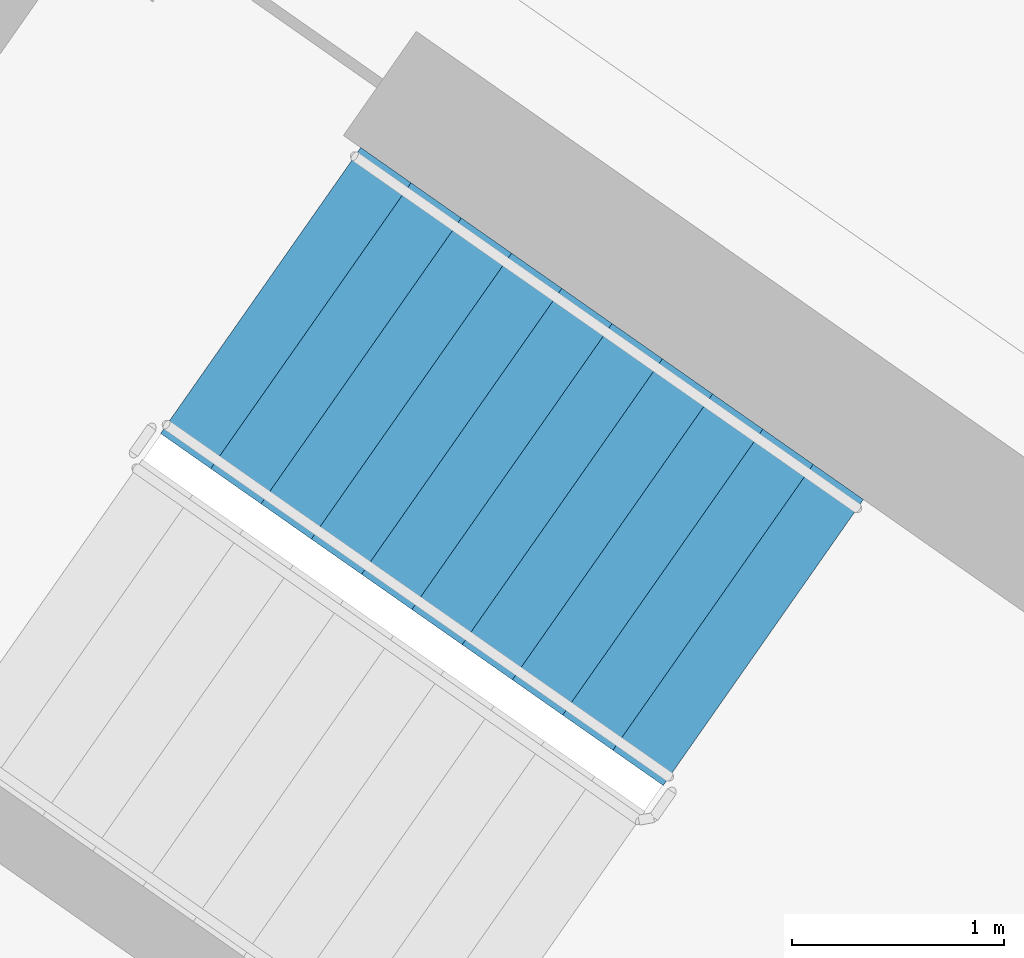
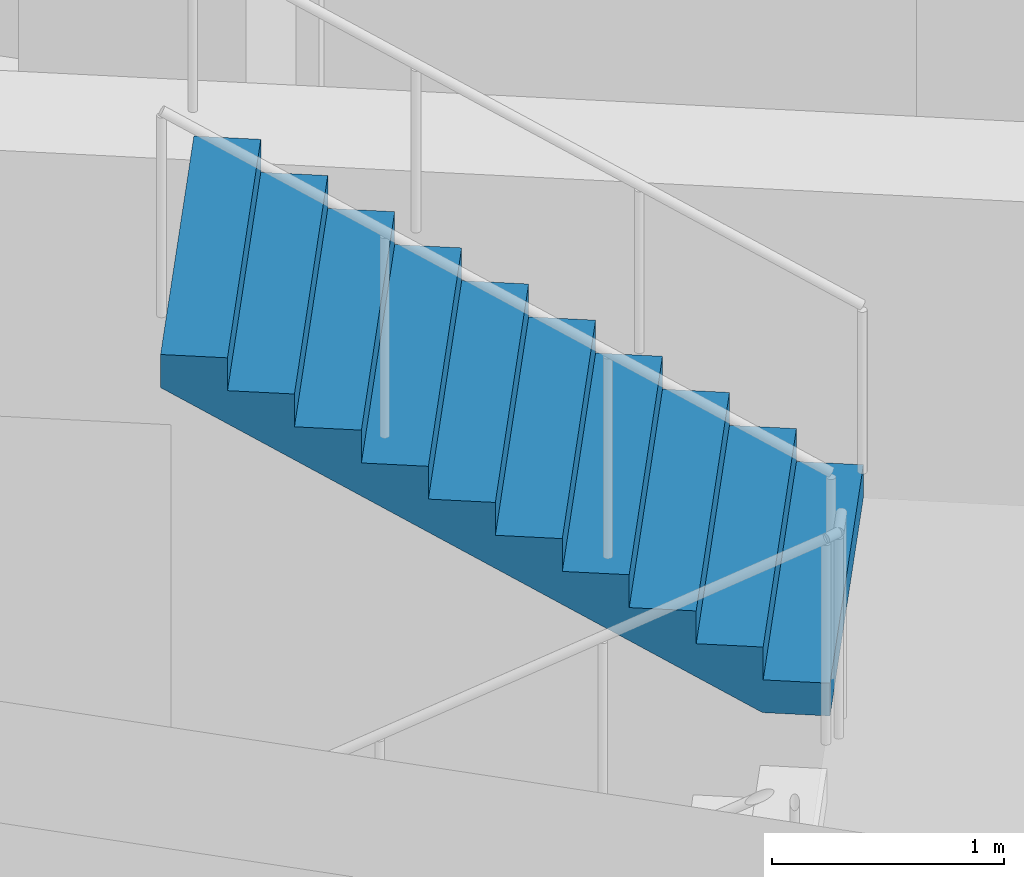
# One storey, part 12 of 27: 1 stair flight, 1 element without a shape of its own.
"""IFC4 building model written with IfcOpenShell, lengths in metres."""

from ifc_helpers import new_model, si_unit, direction, frame, origin, place, context, subcontext, project, spatial, faceted_brep, material, type_object, element, aggregate, save


model = new_model("IFC4")

# Units and contexts
model_context = context("Model", 3, precision=1e-05, world=origin(), true_north=direction((0.0, 1.0)))
body_context = subcontext(model_context, "Body", "Model", "MODEL_VIEW")
ifc_project = project(units=[si_unit("LENGTHUNIT", "METRE"), si_unit("AREAUNIT", "SQUARE_METRE"), si_unit("VOLUMEUNIT", "CUBIC_METRE"), si_unit("PLANEANGLEUNIT", "RADIAN"), si_unit("MASSUNIT", "GRAM", prefix="KILO")], contexts=[model_context])

# Site, building, storey
site_placement = place(None, origin())
site = spatial("IfcSite", under=ifc_project, at=site_placement, CompositionType="ELEMENT")
building_placement = place(site_placement, origin())
building = spatial("IfcBuilding", under=site, at=building_placement, Name="Qamariyya Broadcast Tower", CompositionType="ELEMENT")
storey_placement = place(building_placement, frame((0.0, 0.0, 211.300048828125)))
storey = spatial("IfcBuildingStorey", under=building, at=storey_placement, Name="L50", CompositionType="ELEMENT", Elevation=211.300048828125)

# Stair, stair flight
ifc_material = material(Name="Concrete C50/60", Category="concrete")
stair_type = type_object("IfcStairType", Name="Exit stair 22 risers of 173 mm", PredefinedType="HALF_TURN_STAIR", material=ifc_material)
stair_placement = place(storey_placement, origin())
stair = element("IfcStair", 1, at=stair_placement, inside=storey, type_object=stair_type, Name="L50 Stair W2", PredefinedType="HALF_TURN_STAIR")
stair_flight_type = type_object("IfcStairFlightType", Name="Exit stair flight 11 risers of 173 mm", PredefinedType="STRAIGHT", material=ifc_material)
stair_flight_placement = place(storey_placement, frame((-38.18310546875, -49.3486328125, 1.89990234375), z_axis=(0.0, 0.0, 1.0), x_axis=(-0.819152044289, 0.573576436351, 0.0)))
stair_flight = element("IfcStairFlight", 2, at=stair_flight_placement, type_object=stair_flight_type, Name="ST-W2 flight 2", NumberOfRisers=11, NumberOfTreads=10, PredefinedType="STRAIGHT", RiserHeight=0.172727273, TreadLength=0.29, context=body_context, shape_type="Brep", body=[
    faceted_brep([(0.0, 0.824951171875, 0.0), (0.0, 0.824951171875, 0.172607421875), (0.2900390625, 0.824951171875, 0.172607421875), (0.2900390625, 0.824951171875, 0.345458984375), (0.580078125, 0.824951171875, 0.345458984375), (0.580078125, 0.824951171875, 0.51806640625), (0.8701171875, 0.824951171875, 0.51806640625), (0.8701171875, 0.824951171875, 0.69091796875), (1.159912109375, 0.824951171875, 0.69091796875), (1.159912109375, 0.824951171875, 0.863525390625), (1.449951171875, 0.824951171875, 0.863525390625), (1.449951171875, 0.824951171875, 1.036376953125), (1.739990234375, 0.824951171875, 1.036376953125), (1.739990234375, 0.824951171875, 1.208984375), (2.030029296875, 0.824951171875, 1.208984375), (2.030029296875, 0.824951171875, 1.3818359375), (2.320068359375, 0.824951171875, 1.3818359375), (2.320068359375, 0.824951171875, 1.554443359375), (2.610107421875, 0.824951171875, 1.554443359375), (2.610107421875, 0.824951171875, 1.727294921875), (2.89990234375, 0.824951171875, 1.727294921875), (2.89990234375, 0.824951171875, 1.552734375), (0.29296875, 0.824951171875, 0.0), (0.29296875, -0.824951171875, 0.0), (2.89990234375, -0.824951171875, 1.552734375), (2.89990234375, -0.824951171875, 1.727294921875), (2.610107421875, -0.824951171875, 1.727294921875), (2.610107421875, -0.824951171875, 1.554443359375), (2.320068359375, -0.824951171875, 1.554443359375), (2.320068359375, -0.824951171875, 1.3818359375), (2.030029296875, -0.824951171875, 1.3818359375), (2.030029296875, -0.824951171875, 1.208984375), (1.739990234375, -0.824951171875, 1.208984375), (1.739990234375, -0.824951171875, 1.036376953125), (1.449951171875, -0.824951171875, 1.036376953125), (1.449951171875, -0.824951171875, 0.863525390625), (1.159912109375, -0.824951171875, 0.863525390625), (1.159912109375, -0.824951171875, 0.69091796875), (0.8701171875, -0.824951171875, 0.69091796875), (0.8701171875, -0.824951171875, 0.51806640625), (0.580078125, -0.824951171875, 0.51806640625), (0.580078125, -0.824951171875, 0.345458984375), (0.2900390625, -0.824951171875, 0.345458984375), (0.2900390625, -0.824951171875, 0.172607421875), (0.0, -0.824951171875, 0.172607421875), (0.0, -0.824951171875, 0.0), (0.0, 0.10009765625, 0.0), (0.0, 0.086669921875, 0.0), (0.0, 0.0732421875, 0.0), (0.0, 0.06005859375, 0.0), (0.0, 0.046630859375, 0.0), (0.0, 0.033447265625, 0.0), (0.0, 0.02001953125, 0.0), (0.0, 0.006591796875, 0.0), (0.0, -0.006591796875, 0.0), (0.0, -0.02001953125, 0.0), (0.0, -0.033447265625, 0.0), (0.0, -0.046630859375, 0.0), (0.0, -0.06005859375, 0.0), (0.0, -0.0732421875, 0.0), (0.0, -0.086669921875, 0.0), (0.0, -0.10009765625, 0.0), (0.0, -0.10009765625, 0.172607421875), (0.0, -0.086669921875, 0.172607421875), (0.0, -0.0732421875, 0.172607421875), (0.0, -0.06005859375, 0.172607421875), (0.0, -0.046630859375, 0.172607421875), (0.0, -0.033447265625, 0.172607421875), (0.0, -0.02001953125, 0.172607421875), (0.0, -0.006591796875, 0.172607421875), (0.0, 0.006591796875, 0.172607421875), (0.0, 0.02001953125, 0.172607421875), (0.0, 0.033447265625, 0.172607421875), (0.0, 0.046630859375, 0.172607421875), (0.0, 0.06005859375, 0.172607421875), (0.0, 0.0732421875, 0.172607421875), (0.0, 0.086669921875, 0.172607421875), (0.0, 0.10009765625, 0.172607421875), (0.2900390625, -0.10009765625, 0.172607421875), (0.2900390625, -0.086669921875, 0.172607421875), (0.2900390625, -0.0732421875, 0.172607421875), (0.2900390625, -0.06005859375, 0.172607421875), (0.2900390625, -0.046630859375, 0.172607421875), (0.2900390625, -0.033447265625, 0.172607421875), (0.2900390625, -0.02001953125, 0.172607421875), (0.2900390625, -0.006591796875, 0.172607421875), (0.2900390625, 0.006591796875, 0.172607421875), (0.2900390625, 0.02001953125, 0.172607421875), (0.2900390625, 0.033447265625, 0.172607421875), (0.2900390625, 0.046630859375, 0.172607421875), (0.2900390625, 0.06005859375, 0.172607421875), (0.2900390625, 0.0732421875, 0.172607421875), (0.2900390625, 0.086669921875, 0.172607421875), (0.2900390625, 0.10009765625, 0.172607421875), (0.2900390625, -0.10009765625, 0.345458984375), (0.2900390625, -0.086669921875, 0.345458984375), (0.2900390625, -0.0732421875, 0.345458984375), (0.2900390625, -0.06005859375, 0.345458984375), (0.2900390625, -0.046630859375, 0.345458984375), (0.2900390625, -0.033447265625, 0.345458984375), (0.2900390625, -0.02001953125, 0.345458984375), (0.2900390625, -0.006591796875, 0.345458984375), (0.2900390625, 0.006591796875, 0.345458984375), (0.2900390625, 0.02001953125, 0.345458984375), (0.2900390625, 0.033447265625, 0.345458984375), (0.2900390625, 0.046630859375, 0.345458984375), (0.2900390625, 0.06005859375, 0.345458984375), (0.2900390625, 0.0732421875, 0.345458984375), (0.2900390625, 0.086669921875, 0.345458984375), (0.2900390625, 0.10009765625, 0.345458984375), (0.580078125, -0.10009765625, 0.345458984375), (0.580078125, -0.086669921875, 0.345458984375), (0.580078125, -0.0732421875, 0.345458984375), (0.580078125, -0.06005859375, 0.345458984375), (0.580078125, -0.046630859375, 0.345458984375), (0.580078125, -0.033447265625, 0.345458984375), (0.580078125, -0.02001953125, 0.345458984375), (0.580078125, -0.006591796875, 0.345458984375), (0.580078125, 0.006591796875, 0.345458984375), (0.580078125, 0.02001953125, 0.345458984375), (0.580078125, 0.033447265625, 0.345458984375), (0.580078125, 0.046630859375, 0.345458984375), (0.580078125, 0.06005859375, 0.345458984375), (0.580078125, 0.0732421875, 0.345458984375), (0.580078125, 0.086669921875, 0.345458984375), (0.580078125, 0.10009765625, 0.345458984375), (0.580078125, -0.10009765625, 0.51806640625), (0.580078125, -0.086669921875, 0.51806640625), (0.580078125, -0.0732421875, 0.51806640625), (0.580078125, -0.06005859375, 0.51806640625), (0.580078125, -0.046630859375, 0.51806640625), (0.580078125, -0.033447265625, 0.51806640625), (0.580078125, -0.02001953125, 0.51806640625), (0.580078125, -0.006591796875, 0.51806640625), (0.580078125, 0.006591796875, 0.51806640625), (0.580078125, 0.02001953125, 0.51806640625), (0.580078125, 0.033447265625, 0.51806640625), (0.580078125, 0.046630859375, 0.51806640625), (0.580078125, 0.06005859375, 0.51806640625), (0.580078125, 0.0732421875, 0.51806640625), (0.580078125, 0.086669921875, 0.51806640625), (0.580078125, 0.10009765625, 0.51806640625), (0.8701171875, -0.10009765625, 0.51806640625), (0.8701171875, -0.086669921875, 0.51806640625), (0.8701171875, -0.0732421875, 0.51806640625), (0.8701171875, -0.06005859375, 0.51806640625), (0.8701171875, -0.046630859375, 0.51806640625), (0.8701171875, -0.033447265625, 0.51806640625), (0.8701171875, -0.02001953125, 0.51806640625), (0.8701171875, -0.006591796875, 0.51806640625), (0.8701171875, 0.006591796875, 0.51806640625), (0.8701171875, 0.02001953125, 0.51806640625), (0.8701171875, 0.033447265625, 0.51806640625), (0.8701171875, 0.046630859375, 0.51806640625), (0.8701171875, 0.06005859375, 0.51806640625), (0.8701171875, 0.0732421875, 0.51806640625), (0.8701171875, 0.086669921875, 0.51806640625), (0.8701171875, 0.10009765625, 0.51806640625), (0.8701171875, -0.10009765625, 0.69091796875), (0.8701171875, -0.086669921875, 0.69091796875), (0.8701171875, -0.0732421875, 0.69091796875), (0.8701171875, -0.06005859375, 0.69091796875), (0.8701171875, -0.046630859375, 0.69091796875), (0.8701171875, -0.033447265625, 0.69091796875), (0.8701171875, -0.02001953125, 0.69091796875), (0.8701171875, -0.006591796875, 0.69091796875), (0.8701171875, 0.006591796875, 0.69091796875), (0.8701171875, 0.02001953125, 0.69091796875), (0.8701171875, 0.033447265625, 0.69091796875), (0.8701171875, 0.046630859375, 0.69091796875), (0.8701171875, 0.06005859375, 0.69091796875), (0.8701171875, 0.0732421875, 0.69091796875), (0.8701171875, 0.086669921875, 0.69091796875), (0.8701171875, 0.10009765625, 0.69091796875), (1.159912109375, -0.10009765625, 0.69091796875), (1.159912109375, -0.086669921875, 0.69091796875), (1.159912109375, -0.0732421875, 0.69091796875), (1.159912109375, -0.06005859375, 0.69091796875), (1.159912109375, -0.046630859375, 0.69091796875), (1.159912109375, -0.033447265625, 0.69091796875), (1.159912109375, -0.02001953125, 0.69091796875), (1.159912109375, -0.006591796875, 0.69091796875), (1.159912109375, 0.006591796875, 0.69091796875), (1.159912109375, 0.02001953125, 0.69091796875), (1.159912109375, 0.033447265625, 0.69091796875), (1.159912109375, 0.046630859375, 0.69091796875), (1.159912109375, 0.06005859375, 0.69091796875), (1.159912109375, 0.0732421875, 0.69091796875), (1.159912109375, 0.086669921875, 0.69091796875), (1.159912109375, 0.10009765625, 0.69091796875), (1.159912109375, -0.10009765625, 0.863525390625), (1.159912109375, -0.086669921875, 0.863525390625), (1.159912109375, -0.0732421875, 0.863525390625), (1.159912109375, -0.06005859375, 0.863525390625), (1.159912109375, -0.046630859375, 0.863525390625), (1.159912109375, -0.033447265625, 0.863525390625), (1.159912109375, -0.02001953125, 0.863525390625), (1.159912109375, -0.006591796875, 0.863525390625), (1.159912109375, 0.006591796875, 0.863525390625), (1.159912109375, 0.02001953125, 0.863525390625), (1.159912109375, 0.033447265625, 0.863525390625), (1.159912109375, 0.046630859375, 0.863525390625), (1.159912109375, 0.06005859375, 0.863525390625), (1.159912109375, 0.0732421875, 0.863525390625), (1.159912109375, 0.086669921875, 0.863525390625), (1.159912109375, 0.10009765625, 0.863525390625), (1.449951171875, -0.10009765625, 0.863525390625), (1.449951171875, -0.086669921875, 0.863525390625), (1.449951171875, -0.0732421875, 0.863525390625), (1.449951171875, -0.06005859375, 0.863525390625), (1.449951171875, -0.046630859375, 0.863525390625), (1.449951171875, -0.033447265625, 0.863525390625), (1.449951171875, -0.02001953125, 0.863525390625), (1.449951171875, -0.006591796875, 0.863525390625), (1.449951171875, 0.006591796875, 0.863525390625), (1.449951171875, 0.02001953125, 0.863525390625), (1.449951171875, 0.033447265625, 0.863525390625), (1.449951171875, 0.046630859375, 0.863525390625), (1.449951171875, 0.06005859375, 0.863525390625), (1.449951171875, 0.0732421875, 0.863525390625), (1.449951171875, 0.086669921875, 0.863525390625), (1.449951171875, 0.10009765625, 0.863525390625), (1.449951171875, -0.10009765625, 1.036376953125), (1.449951171875, -0.086669921875, 1.036376953125), (1.449951171875, -0.0732421875, 1.036376953125), (1.449951171875, -0.06005859375, 1.036376953125), (1.449951171875, -0.046630859375, 1.036376953125), (1.449951171875, -0.033447265625, 1.036376953125), (1.449951171875, -0.02001953125, 1.036376953125), (1.449951171875, -0.006591796875, 1.036376953125), (1.449951171875, 0.006591796875, 1.036376953125), (1.449951171875, 0.02001953125, 1.036376953125), (1.449951171875, 0.033447265625, 1.036376953125), (1.449951171875, 0.046630859375, 1.036376953125), (1.449951171875, 0.06005859375, 1.036376953125), (1.449951171875, 0.0732421875, 1.036376953125), (1.449951171875, 0.086669921875, 1.036376953125), (1.449951171875, 0.10009765625, 1.036376953125), (1.739990234375, -0.10009765625, 1.036376953125), (1.739990234375, -0.086669921875, 1.036376953125), (1.739990234375, -0.0732421875, 1.036376953125), (1.739990234375, -0.06005859375, 1.036376953125), (1.739990234375, -0.046630859375, 1.036376953125), (1.739990234375, -0.033447265625, 1.036376953125), (1.739990234375, -0.02001953125, 1.036376953125), (1.739990234375, -0.006591796875, 1.036376953125), (1.739990234375, 0.006591796875, 1.036376953125), (1.739990234375, 0.02001953125, 1.036376953125), (1.739990234375, 0.033447265625, 1.036376953125), (1.739990234375, 0.046630859375, 1.036376953125), (1.739990234375, 0.06005859375, 1.036376953125), (1.739990234375, 0.0732421875, 1.036376953125), (1.739990234375, 0.086669921875, 1.036376953125), (1.739990234375, 0.10009765625, 1.036376953125), (1.739990234375, -0.10009765625, 1.208984375), (1.739990234375, -0.086669921875, 1.208984375), (1.739990234375, -0.0732421875, 1.208984375), (1.739990234375, -0.06005859375, 1.208984375), (1.739990234375, -0.046630859375, 1.208984375), (1.739990234375, -0.033447265625, 1.208984375), (1.739990234375, -0.02001953125, 1.208984375), (1.739990234375, -0.006591796875, 1.208984375), (1.739990234375, 0.006591796875, 1.208984375), (1.739990234375, 0.02001953125, 1.208984375), (1.739990234375, 0.033447265625, 1.208984375), (1.739990234375, 0.046630859375, 1.208984375), (1.739990234375, 0.06005859375, 1.208984375), (1.739990234375, 0.0732421875, 1.208984375), (1.739990234375, 0.086669921875, 1.208984375), (1.739990234375, 0.10009765625, 1.208984375), (2.030029296875, -0.10009765625, 1.208984375), (2.030029296875, -0.086669921875, 1.208984375), (2.030029296875, -0.0732421875, 1.208984375), (2.030029296875, -0.06005859375, 1.208984375), (2.030029296875, -0.046630859375, 1.208984375), (2.030029296875, -0.033447265625, 1.208984375), (2.030029296875, -0.02001953125, 1.208984375), (2.030029296875, -0.006591796875, 1.208984375), (2.030029296875, 0.006591796875, 1.208984375), (2.030029296875, 0.02001953125, 1.208984375), (2.030029296875, 0.033447265625, 1.208984375), (2.030029296875, 0.046630859375, 1.208984375), (2.030029296875, 0.06005859375, 1.208984375), (2.030029296875, 0.0732421875, 1.208984375), (2.030029296875, 0.086669921875, 1.208984375), (2.030029296875, 0.10009765625, 1.208984375), (2.030029296875, -0.10009765625, 1.3818359375), (2.030029296875, -0.086669921875, 1.3818359375), (2.030029296875, -0.0732421875, 1.3818359375), (2.030029296875, -0.06005859375, 1.3818359375), (2.030029296875, -0.046630859375, 1.3818359375), (2.030029296875, -0.033447265625, 1.3818359375), (2.030029296875, -0.02001953125, 1.3818359375), (2.030029296875, -0.006591796875, 1.3818359375), (2.030029296875, 0.006591796875, 1.3818359375), (2.030029296875, 0.02001953125, 1.3818359375), (2.030029296875, 0.033447265625, 1.3818359375), (2.030029296875, 0.046630859375, 1.3818359375), (2.030029296875, 0.06005859375, 1.3818359375), (2.030029296875, 0.0732421875, 1.3818359375), (2.030029296875, 0.086669921875, 1.3818359375), (2.030029296875, 0.10009765625, 1.3818359375), (2.320068359375, -0.10009765625, 1.3818359375), (2.320068359375, -0.086669921875, 1.3818359375), (2.320068359375, -0.0732421875, 1.3818359375), (2.320068359375, -0.06005859375, 1.3818359375), (2.320068359375, -0.046630859375, 1.3818359375), (2.320068359375, -0.033447265625, 1.3818359375), (2.320068359375, -0.02001953125, 1.3818359375), (2.320068359375, -0.006591796875, 1.3818359375), (2.320068359375, 0.006591796875, 1.3818359375), (2.320068359375, 0.02001953125, 1.3818359375), (2.320068359375, 0.033447265625, 1.3818359375), (2.320068359375, 0.046630859375, 1.3818359375), (2.320068359375, 0.06005859375, 1.3818359375), (2.320068359375, 0.0732421875, 1.3818359375), (2.320068359375, 0.086669921875, 1.3818359375), (2.320068359375, 0.10009765625, 1.3818359375), (2.320068359375, -0.10009765625, 1.554443359375), (2.320068359375, -0.086669921875, 1.554443359375), (2.320068359375, -0.0732421875, 1.554443359375), (2.320068359375, -0.06005859375, 1.554443359375), (2.320068359375, -0.046630859375, 1.554443359375), (2.320068359375, -0.033447265625, 1.554443359375), (2.320068359375, -0.02001953125, 1.554443359375), (2.320068359375, -0.006591796875, 1.554443359375), (2.320068359375, 0.006591796875, 1.554443359375), (2.320068359375, 0.02001953125, 1.554443359375), (2.320068359375, 0.033447265625, 1.554443359375), (2.320068359375, 0.046630859375, 1.554443359375), (2.320068359375, 0.06005859375, 1.554443359375), (2.320068359375, 0.0732421875, 1.554443359375), (2.320068359375, 0.086669921875, 1.554443359375), (2.320068359375, 0.10009765625, 1.554443359375), (2.610107421875, -0.10009765625, 1.554443359375), (2.610107421875, -0.086669921875, 1.554443359375), (2.610107421875, -0.0732421875, 1.554443359375), (2.610107421875, -0.06005859375, 1.554443359375), (2.610107421875, -0.046630859375, 1.554443359375), (2.610107421875, -0.033447265625, 1.554443359375), (2.610107421875, -0.02001953125, 1.554443359375), (2.610107421875, -0.006591796875, 1.554443359375), (2.610107421875, 0.006591796875, 1.554443359375), (2.610107421875, 0.02001953125, 1.554443359375), (2.610107421875, 0.033447265625, 1.554443359375), (2.610107421875, 0.046630859375, 1.554443359375), (2.610107421875, 0.06005859375, 1.554443359375), (2.610107421875, 0.0732421875, 1.554443359375), (2.610107421875, 0.086669921875, 1.554443359375), (2.610107421875, 0.10009765625, 1.554443359375), (2.610107421875, -0.10009765625, 1.727294921875), (2.610107421875, -0.086669921875, 1.727294921875), (2.610107421875, -0.0732421875, 1.727294921875), (2.610107421875, -0.06005859375, 1.727294921875), (2.610107421875, -0.046630859375, 1.727294921875), (2.610107421875, -0.033447265625, 1.727294921875), (2.610107421875, -0.02001953125, 1.727294921875), (2.610107421875, -0.006591796875, 1.727294921875), (2.610107421875, 0.006591796875, 1.727294921875), (2.610107421875, 0.02001953125, 1.727294921875), (2.610107421875, 0.033447265625, 1.727294921875), (2.610107421875, 0.046630859375, 1.727294921875), (2.610107421875, 0.06005859375, 1.727294921875), (2.610107421875, 0.0732421875, 1.727294921875), (2.610107421875, 0.086669921875, 1.727294921875), (2.610107421875, 0.10009765625, 1.727294921875), (2.89990234375, -0.10009765625, 1.727294921875), (2.89990234375, -0.086669921875, 1.727294921875), (2.89990234375, -0.0732421875, 1.727294921875), (2.89990234375, -0.06005859375, 1.727294921875), (2.89990234375, -0.046630859375, 1.727294921875), (2.89990234375, -0.033447265625, 1.727294921875), (2.89990234375, -0.02001953125, 1.727294921875), (2.89990234375, -0.006591796875, 1.727294921875), (2.89990234375, 0.006591796875, 1.727294921875), (2.89990234375, 0.02001953125, 1.727294921875), (2.89990234375, 0.033447265625, 1.727294921875), (2.89990234375, 0.046630859375, 1.727294921875), (2.89990234375, 0.06005859375, 1.727294921875), (2.89990234375, 0.0732421875, 1.727294921875), (2.89990234375, 0.086669921875, 1.727294921875), (2.89990234375, 0.10009765625, 1.727294921875), (2.89990234375, -0.10009765625, 1.552734375), (2.89990234375, -0.086669921875, 1.552734375), (2.89990234375, -0.0732421875, 1.552734375), (2.89990234375, -0.06005859375, 1.552734375), (2.89990234375, -0.046630859375, 1.552734375), (2.89990234375, -0.033447265625, 1.552734375), (2.89990234375, -0.02001953125, 1.552734375), (2.89990234375, -0.006591796875, 1.552734375), (2.89990234375, 0.006591796875, 1.552734375), (2.89990234375, 0.02001953125, 1.552734375), (2.89990234375, 0.033447265625, 1.552734375), (2.89990234375, 0.046630859375, 1.552734375), (2.89990234375, 0.06005859375, 1.552734375), (2.89990234375, 0.0732421875, 1.552734375), (2.89990234375, 0.086669921875, 1.552734375), (2.89990234375, 0.10009765625, 1.552734375), (0.29296875, -0.10009765625, 0.0), (0.29296875, -0.086669921875, 0.0), (0.29296875, -0.0732421875, 0.0), (0.29296875, -0.06005859375, 0.0), (0.29296875, -0.046630859375, 0.0), (0.29296875, -0.033447265625, 0.0), (0.29296875, -0.02001953125, 0.0), (0.29296875, -0.006591796875, 0.0), (0.29296875, 0.006591796875, 0.0), (0.29296875, 0.02001953125, 0.0), (0.29296875, 0.033447265625, 0.0), (0.29296875, 0.046630859375, 0.0), (0.29296875, 0.06005859375, 0.0), (0.29296875, 0.0732421875, 0.0), (0.29296875, 0.086669921875, 0.0), (0.29296875, 0.10009765625, 0.0)], [[[0, 1, 2, 3, 4, 5, 6, 7, 8, 9, 10, 11, 12, 13, 14, 15, 16, 17, 18, 19, 20, 21, 22]], [[23, 24, 25, 26, 27, 28, 29, 30, 31, 32, 33, 34, 35, 36, 37, 38, 39, 40, 41, 42, 43, 44, 45]], [[0, 46, 47, 48, 49, 50, 51, 52, 53, 54, 55, 56, 57, 58, 59, 60, 61, 45, 44, 62, 63, 64, 65, 66, 67, 68, 69, 70, 71, 72, 73, 74, 75, 76, 77, 1]], [[1, 77, 76, 75, 74, 73, 72, 71, 70, 69, 68, 67, 66, 65, 64, 63, 62, 44, 43, 78, 79, 80, 81, 82, 83, 84, 85, 86, 87, 88, 89, 90, 91, 92, 93, 2]], [[2, 93, 92, 91, 90, 89, 88, 87, 86, 85, 84, 83, 82, 81, 80, 79, 78, 43, 42, 94, 95, 96, 97, 98, 99, 100, 101, 102, 103, 104, 105, 106, 107, 108, 109, 3]], [[3, 109, 108, 107, 106, 105, 104, 103, 102, 101, 100, 99, 98, 97, 96, 95, 94, 42, 41, 110, 111, 112, 113, 114, 115, 116, 117, 118, 119, 120, 121, 122, 123, 124, 125, 4]], [[4, 125, 124, 123, 122, 121, 120, 119, 118, 117, 116, 115, 114, 113, 112, 111, 110, 41, 40, 126, 127, 128, 129, 130, 131, 132, 133, 134, 135, 136, 137, 138, 139, 140, 141, 5]], [[5, 141, 140, 139, 138, 137, 136, 135, 134, 133, 132, 131, 130, 129, 128, 127, 126, 40, 39, 142, 143, 144, 145, 146, 147, 148, 149, 150, 151, 152, 153, 154, 155, 156, 157, 6]], [[6, 157, 156, 155, 154, 153, 152, 151, 150, 149, 148, 147, 146, 145, 144, 143, 142, 39, 38, 158, 159, 160, 161, 162, 163, 164, 165, 166, 167, 168, 169, 170, 171, 172, 173, 7]], [[7, 173, 172, 171, 170, 169, 168, 167, 166, 165, 164, 163, 162, 161, 160, 159, 158, 38, 37, 174, 175, 176, 177, 178, 179, 180, 181, 182, 183, 184, 185, 186, 187, 188, 189, 8]], [[8, 189, 188, 187, 186, 185, 184, 183, 182, 181, 180, 179, 178, 177, 176, 175, 174, 37, 36, 190, 191, 192, 193, 194, 195, 196, 197, 198, 199, 200, 201, 202, 203, 204, 205, 9]], [[9, 205, 204, 203, 202, 201, 200, 199, 198, 197, 196, 195, 194, 193, 192, 191, 190, 36, 35, 206, 207, 208, 209, 210, 211, 212, 213, 214, 215, 216, 217, 218, 219, 220, 221, 10]], [[10, 221, 220, 219, 218, 217, 216, 215, 214, 213, 212, 211, 210, 209, 208, 207, 206, 35, 34, 222, 223, 224, 225, 226, 227, 228, 229, 230, 231, 232, 233, 234, 235, 236, 237, 11]], [[11, 237, 236, 235, 234, 233, 232, 231, 230, 229, 228, 227, 226, 225, 224, 223, 222, 34, 33, 238, 239, 240, 241, 242, 243, 244, 245, 246, 247, 248, 249, 250, 251, 252, 253, 12]], [[12, 253, 252, 251, 250, 249, 248, 247, 246, 245, 244, 243, 242, 241, 240, 239, 238, 33, 32, 254, 255, 256, 257, 258, 259, 260, 261, 262, 263, 264, 265, 266, 267, 268, 269, 13]], [[13, 269, 268, 267, 266, 265, 264, 263, 262, 261, 260, 259, 258, 257, 256, 255, 254, 32, 31, 270, 271, 272, 273, 274, 275, 276, 277, 278, 279, 280, 281, 282, 283, 284, 285, 14]], [[14, 285, 284, 283, 282, 281, 280, 279, 278, 277, 276, 275, 274, 273, 272, 271, 270, 31, 30, 286, 287, 288, 289, 290, 291, 292, 293, 294, 295, 296, 297, 298, 299, 300, 301, 15]], [[15, 301, 300, 299, 298, 297, 296, 295, 294, 293, 292, 291, 290, 289, 288, 287, 286, 30, 29, 302, 303, 304, 305, 306, 307, 308, 309, 310, 311, 312, 313, 314, 315, 316, 317, 16]], [[16, 317, 316, 315, 314, 313, 312, 311, 310, 309, 308, 307, 306, 305, 304, 303, 302, 29, 28, 318, 319, 320, 321, 322, 323, 324, 325, 326, 327, 328, 329, 330, 331, 332, 333, 17]], [[17, 333, 332, 331, 330, 329, 328, 327, 326, 325, 324, 323, 322, 321, 320, 319, 318, 28, 27, 334, 335, 336, 337, 338, 339, 340, 341, 342, 343, 344, 345, 346, 347, 348, 349, 18]], [[18, 349, 348, 347, 346, 345, 344, 343, 342, 341, 340, 339, 338, 337, 336, 335, 334, 27, 26, 350, 351, 352, 353, 354, 355, 356, 357, 358, 359, 360, 361, 362, 363, 364, 365, 19]], [[19, 365, 364, 363, 362, 361, 360, 359, 358, 357, 356, 355, 354, 353, 352, 351, 350, 26, 25, 366, 367, 368, 369, 370, 371, 372, 373, 374, 375, 376, 377, 378, 379, 380, 381, 20]], [[20, 381, 380, 379, 378, 377, 376, 375, 374, 373, 372, 371, 370, 369, 368, 367, 366, 25, 24, 382, 383, 384, 385, 386, 387, 388, 389, 390, 391, 392, 393, 394, 395, 396, 397, 21]], [[21, 397, 396, 395, 394, 393, 392, 391, 390, 389, 388, 387, 386, 385, 384, 383, 382, 24, 23, 398, 399, 400, 401, 402, 403, 404, 405, 406, 407, 408, 409, 410, 411, 412, 413, 22]], [[22, 413, 412, 411, 410, 409, 408, 407, 406, 405, 404, 403, 402, 401, 400, 399, 398, 23, 45, 61, 60, 59, 58, 57, 56, 55, 54, 53, 52, 51, 50, 49, 48, 47, 46, 0]]]),
])
aggregate(stair, [stair_flight])

save(model, "model.ifc")
